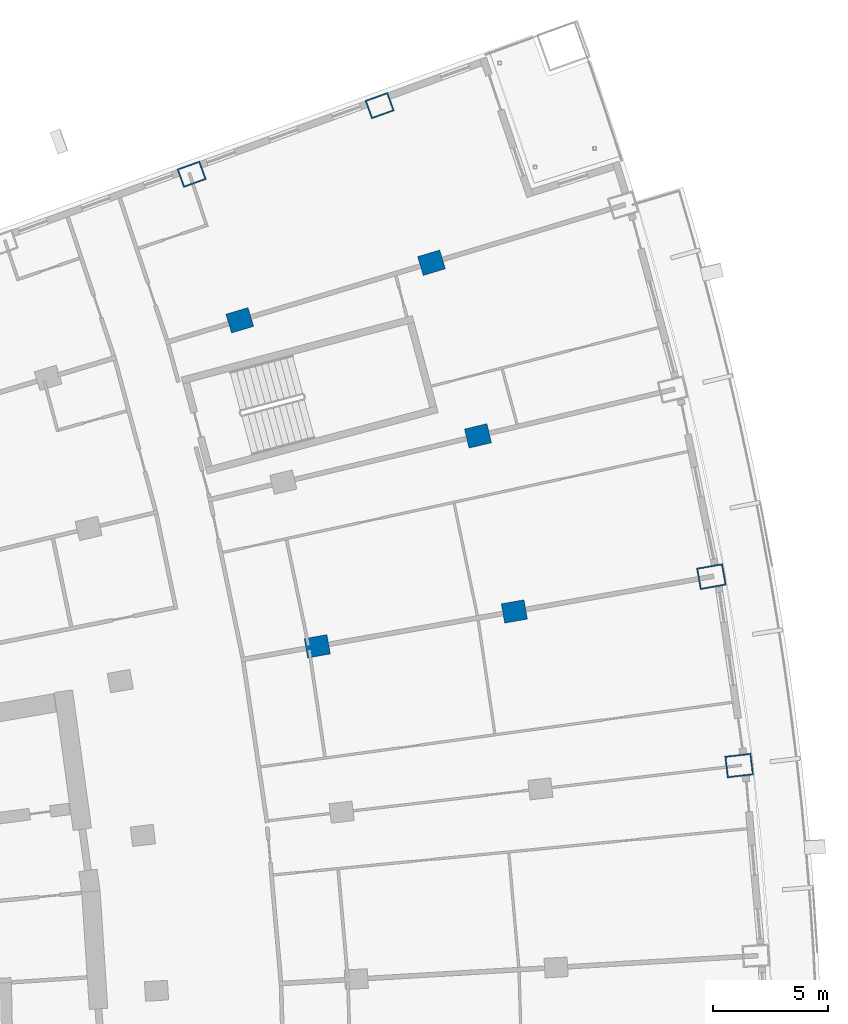
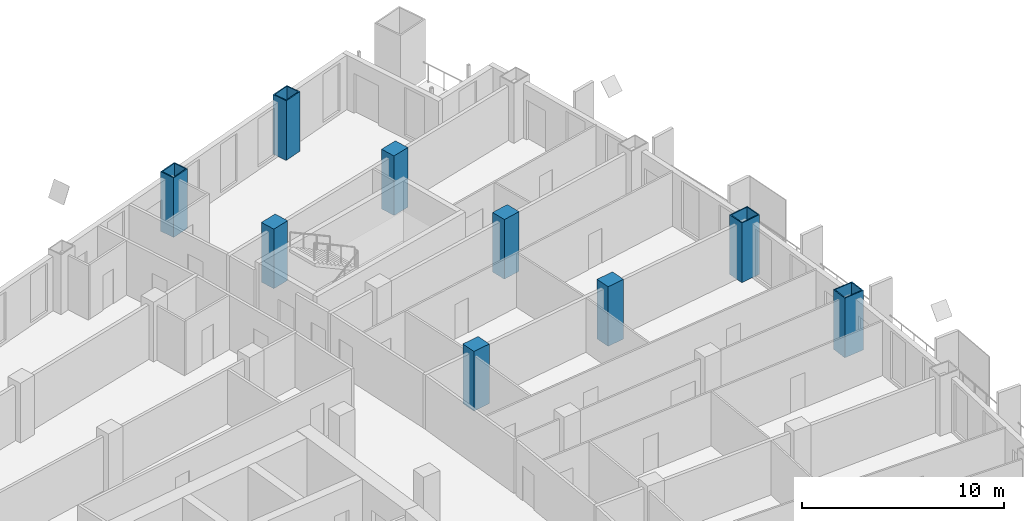
# One storey, part 10 of 25: 9 columns.
"""IFC4 building model written with IfcOpenShell, lengths in metres."""

from ifc_helpers import new_model, si_unit, direction, frame, origin, origin_2d, place, context, subcontext, project, spatial, rectangle, hollow_rectangle, extrude, material, material_profile, profile_set, type_object, element, save


model = new_model("IFC4")

# Units and contexts
model_context = context("Model", 3, precision=1e-05, world=origin(), true_north=direction((0.0, 1.0)))
body_context = subcontext(model_context, "Body", "Model", "MODEL_VIEW")
ifc_project = project(units=[si_unit("LENGTHUNIT", "METRE"), si_unit("AREAUNIT", "SQUARE_METRE"), si_unit("VOLUMEUNIT", "CUBIC_METRE"), si_unit("PLANEANGLEUNIT", "RADIAN"), si_unit("MASSUNIT", "GRAM", prefix="KILO")], contexts=[model_context])

# Site, building, storey
site_placement = place(None, origin())
site = spatial("IfcSite", under=ifc_project, at=site_placement, CompositionType="ELEMENT")
building_placement = place(site_placement, origin())
building = spatial("IfcBuilding", under=site, at=building_placement, Name="Alderwake Tower", CompositionType="ELEMENT")
storey_placement = place(building_placement, frame((0.0, 0.0, 89.60009765625)))
storey = spatial("IfcBuildingStorey", under=building, at=storey_placement, Name="L21", CompositionType="ELEMENT", Elevation=89.60009765625)

# Columns
ifc_material_1 = material(Name="Steel ASTM A572 Grade 50 concrete filled C70/85", Category="concrete")
ifc_material_profile_1 = material_profile(ifc_material_1, hollow_rectangle(XDim=0.85009765625, YDim=1.050048828125, WallThickness=0.06005859375, at=origin_2d()), Name="BOX 1050X850X60")
ifc_profile_set_1 = profile_set([ifc_material_profile_1], Name="Steel ASTM A572 Grade 50 concrete filled C70/85")
column_type_1 = type_object("IfcColumnType", Name="End column Z2", PredefinedType="COLUMN", material=ifc_profile_set_1)
for number, where, z_axis, x_axis, name in (
    (1, (37.125, 103.115234375, 0.0), (0.0, 0.0, 1.0), (-0.338365126362, 0.941014899596, 0.0), "Column R13-C3"),
    (2, (45.266357421875, 106.0869140625, 0.0), (0.0, 0.0, 1.0), (-0.338660738209, 0.940908552621, 0.0), "Column R13-C4"),
):
    element("IfcColumn", number, at=place(storey_placement, frame(where, z_axis=z_axis, x_axis=x_axis)), inside=storey, type_object=column_type_1, Name=name, PredefinedType="COLUMN", context=body_context, shape_type="SweptSolid", body=[
        extrude(hollow_rectangle(XDim=0.85009765625, YDim=1.050048828125, WallThickness=0.06005859375, at=origin_2d()), origin(), (0.0, 0.0, 1.0), 3.599853515625),
    ])
ifc_material_2 = material(Name="Concrete C70/85", Category="concrete")
ifc_material_profile_2 = material_profile(ifc_material_2, rectangle(XDim=0.85009765625, YDim=1.0, at=origin_2d()), Name="RC 1000X850")
ifc_profile_set_2 = profile_set([ifc_material_profile_2], Name="Concrete C70/85")
column_type_2 = type_object("IfcColumnType", Name="Interior column Z2", PredefinedType="COLUMN", material=ifc_profile_set_2)
for number, where, z_axis, x_axis, name in (
    (3, (42.565673828125, 82.670654296875, 0.0), (0.0, 0.0, 1.0), (-0.174108800747, 0.984726421654, 0.0), "Column R10-C3"),
    (4, (51.099853515625, 84.1796875, 0.0), (0.0, 0.0, 1.0), (-0.174108800747, 0.984726421654, 0.0), "Column R10-C4"),
    (5, (49.525390625, 91.783203125, 0.0), (0.0, 0.0, 1.0), (-0.231221547198, 0.972901123502, 0.0), "Column R11-C4"),
    (6, (39.2099609375, 96.790283203125, 0.0), (0.0, 0.0, 1.0), (-0.287549418125, 0.957765802342, 0.0), "Column R12-C3"),
    (7, (47.510498046875, 99.2822265625, 0.0), (0.0, 0.0, 1.0), (-0.287549418125, 0.957765802342, 0.0), "Column R12-C4"),
):
    element("IfcColumn", number, at=place(storey_placement, frame(where, z_axis=z_axis, x_axis=x_axis)), inside=storey, type_object=column_type_2, Name=name, PredefinedType="COLUMN", context=body_context, shape_type="SweptSolid", body=[
        extrude(rectangle(XDim=0.85009765625, YDim=1.0, at=origin_2d()), origin(), (0.0, 0.0, 1.0), 3.599853515625),
    ])
ifc_material_3 = material(Name="Steel ASTM A572 Grade 50 concrete filled C70/85", Category="concrete")
ifc_material_profile_3 = material_profile(ifc_material_3, hollow_rectangle(XDim=0.949951171875, YDim=1.14990234375, WallThickness=0.06005859375, at=origin_2d()), Name="BOX 1150X950X60")
ifc_profile_set_3 = profile_set([ifc_material_profile_3], Name="Steel ASTM A572 Grade 50 concrete filled C70/85")
column_type_3 = type_object("IfcColumnType", Name="Perimeter column Z2", PredefinedType="COLUMN", material=ifc_profile_set_3)
for number, where, z_axis, x_axis, name in (
    (8, (60.836181640625, 77.505859375, 0.0), (0.0, 0.0, 1.0), (-0.116402054316, 0.993202175668, 0.0), "Column R09-C5"),
    (9, (59.63427734375, 85.6884765625, 0.0), (0.0, 0.0, 1.0), (-0.174107082075, 0.984726725529, 0.0), "Column R10-C5"),
):
    element("IfcColumn", number, at=place(storey_placement, frame(where, z_axis=z_axis, x_axis=x_axis)), inside=storey, type_object=column_type_3, Name=name, PredefinedType="COLUMN", context=body_context, shape_type="SweptSolid", body=[
        extrude(hollow_rectangle(XDim=0.949951171875, YDim=1.14990234375, WallThickness=0.06005859375, at=origin_2d()), origin(), (0.0, 0.0, 1.0), 3.599853515625),
    ])

save(model, "model.ifc")
